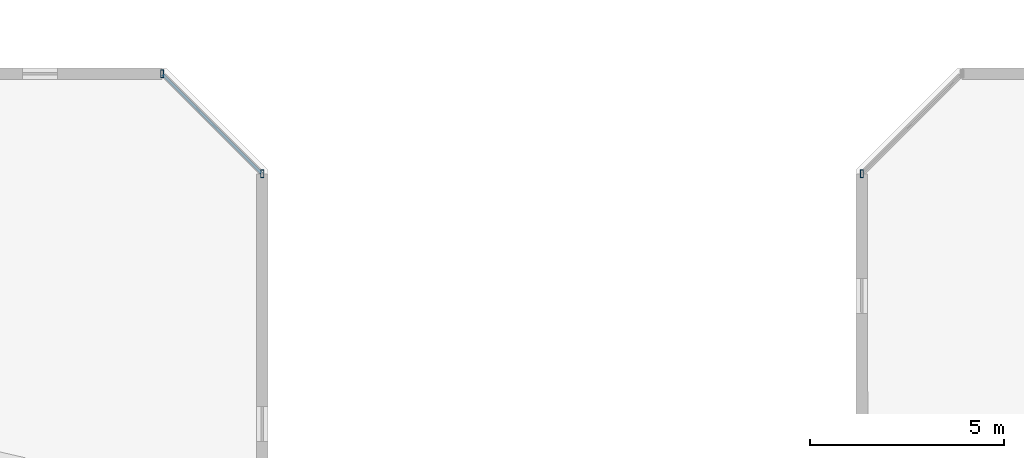
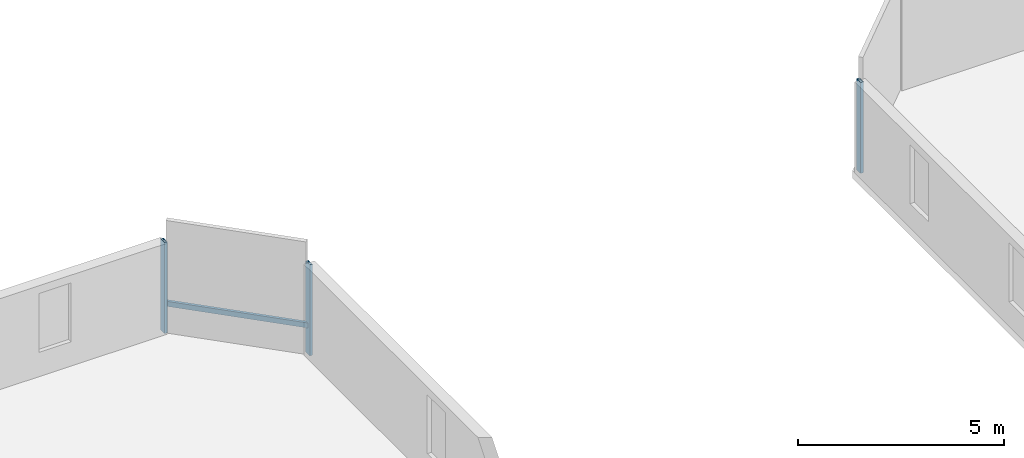
# One storey, part 10 of 33: 4 members, 2 elements without a shape of their own.
"""IFC4 building model written with IfcOpenShell, lengths in metres."""

from ifc_helpers import new_model, si_unit, direction, frame, origin, origin_2d, place, context, subcontext, project, spatial, hollow_rectangle, extrude, material, material_profile, profile_set, type_object, element, aggregate, save


model = new_model("IFC4")

# Units and contexts
model_context = context("Model", 3, precision=1e-05, world=origin(), true_north=direction((0.0, 1.0)))
body_context = subcontext(model_context, "Body", "Model", "MODEL_VIEW")
ifc_project = project(units=[si_unit("LENGTHUNIT", "METRE"), si_unit("AREAUNIT", "SQUARE_METRE"), si_unit("VOLUMEUNIT", "CUBIC_METRE"), si_unit("PLANEANGLEUNIT", "RADIAN"), si_unit("MASSUNIT", "GRAM", prefix="KILO")], contexts=[model_context])

# Site, building, storey
site_placement = place(None, origin())
site = spatial("IfcSite", under=ifc_project, at=site_placement, CompositionType="ELEMENT")
building_placement = place(site_placement, origin())
building = spatial("IfcBuilding", under=site, at=building_placement, Name="Thornwick Lancets Civic Towers", CompositionType="ELEMENT")
storey_placement = place(building_placement, frame((0.0, 0.0, 185.699951171875)))
storey = spatial("IfcBuildingStorey", under=building, at=storey_placement, Name="L49", CompositionType="ELEMENT", Elevation=185.699951171875)

# Curtain wall, members
ifc_material_1 = material(Name="Mid-zone chamfered-corner unitised glass curtain wall", Category="glass")
curtain_wall_type = type_object("IfcCurtainWallType", Name="CW_SYS_04", PredefinedType="NOTDEFINED", material=ifc_material_1)
curtain_wall_1_placement = place(storey_placement, origin())
curtain_wall_1 = element("IfcCurtainWall", 1, at=curtain_wall_1_placement, inside=storey, type_object=curtain_wall_type, Name="L49 Curtain Wall CW-L49-A-E3", PredefinedType="NOTDEFINED")
ifc_material_2 = material(Name="Thermally broken bronze aluminium S355", Category="steel")
ifc_material_profile_1 = material_profile(ifc_material_2, hollow_rectangle(XDim=0.080078125, YDim=0.199951171875, WallThickness=0.006103515625, at=origin_2d()), Name="RHS 200x80x6")
ifc_profile_set_1 = profile_set([ifc_material_profile_1], Name="Thermally broken bronze aluminium S355")
member_type_1 = type_object("IfcMemberType", Name="CW_MUL_200", PredefinedType="MULLION", material=ifc_profile_set_1)
member_1_placement = place(storey_placement, frame((49.2646484375, 48.181396484375, 0.0), z_axis=(0.0, 0.0, 1.0), x_axis=(1.0, 0.0, 0.0)))
member_1 = element("IfcMember", 2, at=member_1_placement, type_object=member_type_1, Name="CW-L49-A-E3 Mullion 0", PredefinedType="MULLION", context=body_context, shape_type="SweptSolid", body=[
    extrude(hollow_rectangle(XDim=0.080078125, YDim=0.199951171875, WallThickness=0.006103515625, at=origin_2d()), origin(), (0.0, 0.0, 1.0), 2.699951171875),
])
member_2_placement = place(storey_placement, frame((46.681396484375, 50.7646484375, 0.0), z_axis=(0.0, 0.0, 1.0), x_axis=(1.0, 0.0, 0.0)))
member_2 = element("IfcMember", 3, at=member_2_placement, type_object=member_type_1, Name="CW-L49-A-E3 Mullion 1", PredefinedType="MULLION", context=body_context, shape_type="SweptSolid", body=[
    extrude(hollow_rectangle(XDim=0.080078125, YDim=0.199951171875, WallThickness=0.006103515625, at=origin_2d()), origin(), (0.0, 0.0, 1.0), 2.699951171875),
])

# Curtain wall, member
curtain_wall_2_placement = place(storey_placement, origin())
curtain_wall_2 = element("IfcCurtainWall", 4, at=curtain_wall_2_placement, inside=storey, type_object=curtain_wall_type, Name="L49 Curtain Wall CW-L49-B-E5", PredefinedType="NOTDEFINED")
member_3_placement = place(storey_placement, frame((64.7353515625, 48.181396484375, 0.0), z_axis=(0.0, 0.0, 1.0), x_axis=(1.0, 0.0, 0.0)))
member_3 = element("IfcMember", 5, at=member_3_placement, type_object=member_type_1, Name="CW-L49-B-E5 Mullion 1", PredefinedType="MULLION", context=body_context, shape_type="SweptSolid", body=[
    extrude(hollow_rectangle(XDim=0.080078125, YDim=0.199951171875, WallThickness=0.006103515625, at=origin_2d()), origin(), (0.0, 0.0, 1.0), 2.699951171875),
])
aggregate(curtain_wall_2, [member_3])

# Member
ifc_material_profile_2 = material_profile(ifc_material_2, hollow_rectangle(XDim=0.074951171875, YDim=0.14990234375, WallThickness=0.0048828125, at=origin_2d()), Name="RHS 150x75x5")
ifc_profile_set_2 = profile_set([ifc_material_profile_2], Name="Thermally broken bronze aluminium S355")
member_type_2 = type_object("IfcMemberType", Name="CW_TRN_150", PredefinedType="USERDEFINED", material=ifc_profile_set_2)
member_4_placement = place(storey_placement, frame((49.25048828125, 48.195556640625, 0.85009765625), z_axis=(-0.707106781187, 0.707106781187, 0.0), x_axis=(-0.707106781187, -0.707106781187, 0.0)))
member_4 = element("IfcMember", 6, at=member_4_placement, type_object=member_type_2, Name="CW-L49-A-E3 Transom 0", ObjectType="TRANSOM", PredefinedType="USERDEFINED", context=body_context, shape_type="SweptSolid", body=[
    extrude(hollow_rectangle(XDim=0.074951171875, YDim=0.14990234375, WallThickness=0.0048828125, at=origin_2d()), origin(), (0.0, 0.0, 1.0), 3.61328125),
])

aggregate(curtain_wall_1, [member_1, member_2, member_4])

save(model, "model.ifc")
